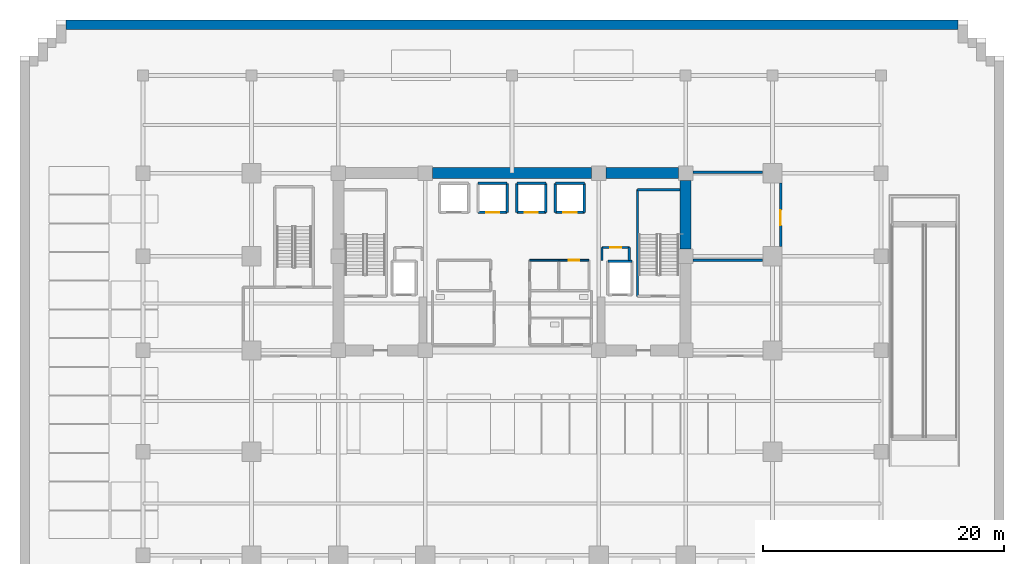
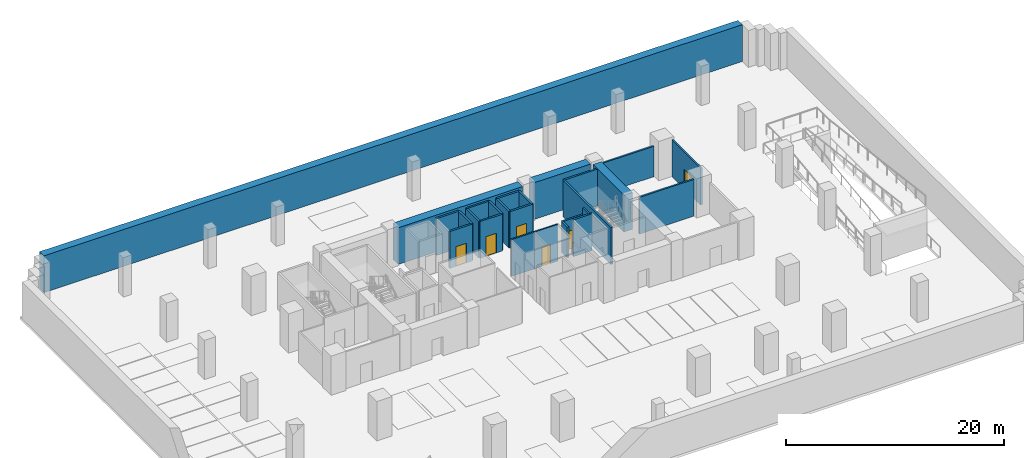
# One storey, part 5 of 13: 26 walls, 6 doors, 6 openings.
"""IFC4 building model written with IfcOpenShell, lengths in metres."""

from ifc_helpers import new_model, si_unit, direction, frame, frame_2d, origin, place, context, subcontext, project, spatial, rectangle, extrude, source, transform, mapped, material, layer, layer_set, type_object, element, fill, save


model = new_model("IFC4")

# Units and contexts
model_context = context("Model", 3, precision=1e-05, world=origin(), true_north=direction((0.0, 1.0)))
body_context = subcontext(model_context, "Body", "Model", "MODEL_VIEW")
ifc_project = project(units=[si_unit("LENGTHUNIT", "METRE"), si_unit("AREAUNIT", "SQUARE_METRE"), si_unit("VOLUMEUNIT", "CUBIC_METRE"), si_unit("PLANEANGLEUNIT", "RADIAN"), si_unit("MASSUNIT", "GRAM", prefix="KILO")], contexts=[model_context])

# Site, building, storey
site_placement = place(None, origin())
site = spatial("IfcSite", under=ifc_project, at=site_placement, CompositionType="ELEMENT")
building_placement = place(site_placement, origin())
building = spatial("IfcBuilding", under=site, at=building_placement, Name="Zarnakvel Exchange Tower", CompositionType="ELEMENT")
storey_placement = place(building_placement, frame((0.0, 0.0, -8.800048828125)))
storey = spatial("IfcBuildingStorey", under=building, at=storey_placement, Name="B02", CompositionType="ELEMENT", Elevation=-8.800048828125)

# Walls
ifc_material_1 = material(Name="Concrete C80/95", Category="concrete")
ifc_layer_1 = layer(ifc_material_1, 0.89990234375)
ifc_layer_set_1 = layer_set([ifc_layer_1], Name="Concrete C80/95")
wall_type_1 = type_object("IfcWallType", Name="CW-C1", PredefinedType="SHEAR", material=ifc_layer_set_1)
wall_1_placement = place(storey_placement, frame((-6.60009765625, 13.5, 0.0), z_axis=(0.0, 0.0, 1.0), x_axis=(1.0, 0.0, 0.0)))
element("IfcWall", 1, at=wall_1_placement, inside=storey, type_object=wall_type_1, Name="B02 Rear Core Shear Wall N2 (CW-C1)", PredefinedType="SHEAR", context=body_context, shape_type="SweptSolid", body=[
    extrude(rectangle(XDim=13.2001953125, YDim=0.89990234375, at=frame_2d((6.60009765625, 0.0))), origin(), (0.0, 0.0, 1.0), 4.1201171875),
])
wall_2_placement = place(storey_placement, frame((7.800048828125, 13.5, 0.0), z_axis=(0.0, 0.0, 1.0), x_axis=(1.0, 0.0, 0.0)))
element("IfcWall", 2, at=wall_2_placement, inside=storey, type_object=wall_type_1, Name="B02 Rear Core Shear Wall N3 (CW-C1)", PredefinedType="SHEAR", context=body_context, shape_type="SweptSolid", body=[
    extrude(rectangle(XDim=6.0, YDim=0.89990234375, at=frame_2d((3.0, 0.0))), origin(), (0.0, 0.0, 1.0), 4.1201171875),
])
wall_3_placement = place(storey_placement, frame((14.39990234375, 7.199951171875, 0.0), z_axis=(0.0, 0.0, 1.0), x_axis=(0.0, 1.0, 0.0)))
element("IfcWall", 3, at=wall_3_placement, inside=storey, type_object=wall_type_1, Name="B02 Rear Core Shear Wall E2 (CW-C1)", PredefinedType="SHEAR", context=body_context, shape_type="SweptSolid", body=[
    extrude(rectangle(XDim=5.699951171875, YDim=0.89990234375, at=frame_2d((2.85009765625, 0.0))), origin(), (0.0, 0.0, 1.0), 4.1201171875),
])
ifc_material_2 = material(Name="Fire-Rated Gypsum Stud Partition", Category="gypsum")
ifc_layer_2 = layer(ifc_material_2, 0.14990234375)
ifc_layer_set_2 = layer_set([ifc_layer_2], Name="Fire-Rated Gypsum Stud Partition")
wall_type_2 = type_object("IfcWallType", Name="PT-01", PredefinedType="PARTITIONING", material=ifc_layer_set_2)
wall_4_placement = place(storey_placement, frame((1.469970703125, 6.280029296875, 0.0), z_axis=(0.0, 0.0, 1.0), x_axis=(1.0, 0.0, 0.0)))
element("IfcWall", 4, at=wall_4_placement, inside=storey, type_object=wall_type_2, Name="B02 Partition Wall PWALL-B02-018 (PT-01)", PredefinedType="PARTITIONING", context=body_context, shape_type="SweptSolid", body=[
    extrude(rectangle(XDim=2.409912109375, YDim=0.14990234375, at=frame_2d((1.205078125, 0.0))), origin(), (0.0, 0.0, 1.0), 4.1201171875),
])

# Wall, opening, door
wall_5_placement = place(storey_placement, frame((3.8798828125, 6.280029296875, 0.0), z_axis=(0.0, 0.0, 1.0), x_axis=(1.0, 0.0, 0.0)))
wall_5 = element("IfcWall", 5, at=wall_5_placement, inside=storey, type_object=wall_type_2, Name="B02 Partition Wall PWALL-B02-022 (PT-01)", PredefinedType="PARTITIONING", context=body_context, shape_type="SweptSolid", body=[
    extrude(rectangle(XDim=2.5, YDim=0.14990234375, at=frame_2d((1.25, 0.0))), origin(), (0.0, 0.0, 1.0), 4.1201171875),
])
opening_1_placement = place(wall_5_placement, frame((0.81005859375, 0.0, 0.0)))
opening_1 = element("IfcOpeningElement", 6, at=opening_1_placement, cuts=wall_5, Name="Opening D-B02-07", PredefinedType="OPENING", context=body_context, shape_type="SweptSolid", body=[
    extrude(rectangle(XDim=0.8798828125, YDim=2.14990234375, at=frame_2d((0.43994140625, 1.074951171875))), frame((0.0, 0.0849609375, 0.0), z_axis=(0.0, -1.0, 0.0), x_axis=(1.0, 0.0, 0.0)), (0.0, 0.0, 1.0), 0.169921875),
])
ifc_material_3 = material(Name="Timber Acoustic Veneer", Category="wood")
door_type_1 = type_object("IfcDoorType", Name="DT-05", OperationType="NOTDEFINED", PredefinedType="DOOR", material=ifc_material_3)
shared_shape_1 = source(origin(), body_context, "Body", "SweptSolid", [
    extrude(rectangle(XDim=0.8798828125, YDim=2.14990234375, at=frame_2d((0.43994140625, 1.074951171875))), frame((0.0, 0.02490234375, 0.0), z_axis=(0.0, -1.0, 0.0), x_axis=(1.0, 0.0, 0.0)), (0.0, 0.0, 1.0), 0.050048828125),
])
door_1_placement = place(opening_1_placement, origin())
door_1 = element("IfcDoor", 7, at=door_1_placement, inside=storey, type_object=door_type_1, Name="B02 Data Copy Room Door D-B02-07", OperationType="SINGLE_SWING_LEFT", OverallHeight=2.14990234375, OverallWidth=0.8798828125, PredefinedType="DOOR", context=body_context, shape_type="MappedRepresentation", body=[
    mapped(shared_shape_1, transform((0.0, 0.0, 0.0), x_axis=(1.0, 0.0, 0.0), y_axis=(0.0, 1.0, 0.0), z_axis=(0.0, 0.0, 1.0), scale=1.0)),
])
fill(opening_1, door_1)

ifc_layer_3 = layer(ifc_material_2, 0.179931640625)
ifc_layer_set_3 = layer_set([ifc_layer_3], Name="Fire-Rated Gypsum Stud Partition")
wall_type_3 = type_object("IfcWallType", Name="PT-02", PredefinedType="PARTITIONING", material=ifc_layer_set_3)
wall_6_placement = place(storey_placement, frame((7.469970703125, 7.330078125, 0.0), z_axis=(0.0, 0.0, 1.0), x_axis=(1.0, 0.0, 0.0)))
wall_6 = element("IfcWall", 8, at=wall_6_placement, inside=storey, type_object=wall_type_3, Name="B02 Partition Wall PWALL-B02-010 (PT-02)", PredefinedType="PARTITIONING", context=body_context, shape_type="SweptSolid", body=[
    extrude(rectangle(XDim=2.260009765625, YDim=0.179931640625, at=frame_2d((1.1298828125, 0.0))), origin(), (0.0, 0.0, 1.0), 3.41015625),
])
opening_2_placement = place(wall_6_placement, frame((0.68994140625, 0.0, 0.0)))
opening_2 = element("IfcOpeningElement", 9, at=opening_2_placement, cuts=wall_6, Name="Opening D-B02-17", PredefinedType="OPENING", context=body_context, shape_type="SweptSolid", body=[
    extrude(rectangle(XDim=0.8798828125, YDim=2.10009765625, at=frame_2d((0.43994140625, 1.050048828125))), frame((0.0, 0.099853515625, 0.0), z_axis=(0.0, -1.0, 0.0), x_axis=(1.0, 0.0, 0.0)), (0.0, 0.0, 1.0), 0.199951171875),
])
ifc_material_4 = material(Name="Painted Galvanised Steel S355", Category="steel")
door_type_2 = type_object("IfcDoorType", Name="DT-08", OperationType="NOTDEFINED", PredefinedType="DOOR", material=ifc_material_4)
shared_shape_2 = source(origin(), body_context, "Body", "SweptSolid", [
    extrude(rectangle(XDim=0.8798828125, YDim=2.10009765625, at=frame_2d((0.43994140625, 1.050048828125))), frame((0.0, 0.02490234375, 0.0), z_axis=(0.0, -1.0, 0.0), x_axis=(1.0, 0.0, 0.0)), (0.0, 0.0, 1.0), 0.050048828125),
])
door_2_placement = place(opening_2_placement, origin())
door_2 = element("IfcDoor", 10, at=door_2_placement, inside=storey, type_object=door_type_2, Name="B02 Telecom Riser Door D-B02-17", OperationType="SINGLE_SWING_LEFT", OverallHeight=2.10009765625, OverallWidth=0.8798828125, PredefinedType="DOOR", context=body_context, shape_type="MappedRepresentation", body=[
    mapped(shared_shape_2, transform((0.0, 0.0, 0.0), x_axis=(1.0, 0.0, 0.0), y_axis=(0.0, 1.0, 0.0), z_axis=(0.0, 0.0, 1.0), scale=1.0)),
])
fill(opening_2, door_2)

# Walls
wall_7_placement = place(storey_placement, frame((7.469970703125, 6.239990234375, 0.0), z_axis=(0.0, 0.0, 1.0), x_axis=(0.0, 1.0, 0.0)))
element("IfcWall", 11, at=wall_7_placement, inside=storey, type_object=wall_type_3, Name="B02 Partition Wall PWALL-B02-011 (PT-02)", PredefinedType="PARTITIONING", context=body_context, shape_type="SweptSolid", body=[
    extrude(rectangle(XDim=1.090087890625, YDim=0.179931640625, at=frame_2d((0.544921875, 0.0))), origin(), (0.0, 0.0, 1.0), 3.41015625),
])
wall_8_placement = place(storey_placement, frame((9.72998046875, 7.330078125, 0.0), z_axis=(0.0, 0.0, 1.0), x_axis=(0.0, -1.0, 0.0)))
element("IfcWall", 12, at=wall_8_placement, inside=storey, type_object=wall_type_3, Name="B02 Partition Wall PWALL-B02-012 (PT-02)", PredefinedType="PARTITIONING", context=body_context, shape_type="SweptSolid", body=[
    extrude(rectangle(XDim=1.090087890625, YDim=0.179931640625, at=frame_2d((0.544921875, 0.0))), origin(), (0.0, 0.0, 1.0), 4.1201171875),
])
wall_9_placement = place(storey_placement, frame((15.02001953125, 6.280029296875, 0.0), z_axis=(0.0, 0.0, 1.0), x_axis=(1.0, 0.0, 0.0)))
element("IfcWall", 13, at=wall_9_placement, inside=storey, type_object=wall_type_3, Name="B02 Partition Wall PWALL-B02-044 (PT-02)", PredefinedType="PARTITIONING", context=body_context, shape_type="SweptSolid", body=[
    extrude(rectangle(XDim=5.760009765625, YDim=0.179931640625, at=frame_2d((2.8798828125, 0.0))), origin(), (0.0, 0.0, 1.0), 4.1201171875),
])
wall_10_placement = place(storey_placement, frame((15.02001953125, 13.580078125, 0.0), z_axis=(0.0, 0.0, 1.0), x_axis=(1.0, 0.0, 0.0)))
element("IfcWall", 14, at=wall_10_placement, inside=storey, type_object=wall_type_3, Name="B02 Partition Wall PWALL-B02-046 (PT-02)", PredefinedType="PARTITIONING", context=body_context, shape_type="SweptSolid", body=[
    extrude(rectangle(XDim=5.760009765625, YDim=0.179931640625, at=frame_2d((2.8798828125, 0.0))), origin(), (0.0, 0.0, 1.0), 3.41015625),
])

# Wall, opening, door
wall_11_placement = place(storey_placement, frame((22.280029296875, 12.679931640625, 0.0), z_axis=(0.0, 0.0, 1.0), x_axis=(0.0, -1.0, 0.0)))
wall_11 = element("IfcWall", 15, at=wall_11_placement, inside=storey, type_object=wall_type_3, Name="B02 Partition Wall PWALL-B02-047 (PT-02)", PredefinedType="PARTITIONING", context=body_context, shape_type="SweptSolid", body=[
    extrude(rectangle(XDim=5.260009765625, YDim=0.179931640625, at=frame_2d((2.6298828125, 0.0))), origin(), (0.0, 0.0, 1.0), 4.1201171875),
])
opening_3_placement = place(wall_11_placement, frame((2.2548828125, 0.0, 0.0)))
opening_3 = element("IfcOpeningElement", 16, at=opening_3_placement, cuts=wall_11, Name="Opening D-B02-15", PredefinedType="OPENING", context=body_context, shape_type="SweptSolid", body=[
    extrude(rectangle(XDim=1.25, YDim=2.14990234375, at=frame_2d((0.625, 1.074951171875))), frame((0.0, 0.099853515625, 0.0), z_axis=(0.0, -1.0, 0.0), x_axis=(1.0, 0.0, 0.0)), (0.0, 0.0, 1.0), 0.199951171875),
])
door_type_3 = type_object("IfcDoorType", Name="DT-06", OperationType="NOTDEFINED", PredefinedType="DOOR", material=ifc_material_4)
shared_shape_3 = source(origin(), body_context, "Body", "SweptSolid", [
    extrude(rectangle(XDim=1.25, YDim=2.14990234375, at=frame_2d((0.625, 1.074951171875))), frame((0.0, 0.02490234375, 0.0), z_axis=(0.0, -1.0, 0.0), x_axis=(1.0, 0.0, 0.0)), (0.0, 0.0, 1.0), 0.050048828125),
])
door_3_placement = place(opening_3_placement, origin())
door_3 = element("IfcDoor", 17, at=door_3_placement, inside=storey, type_object=door_type_3, Name="B02 Standby Diesel Generator Room Door D-B02-15", OperationType="SINGLE_SWING_LEFT", OverallHeight=2.14990234375, OverallWidth=1.25, PredefinedType="DOOR", context=body_context, shape_type="MappedRepresentation", body=[
    mapped(shared_shape_3, transform((0.0, 0.0, 0.0), x_axis=(1.0, 0.0, 0.0), y_axis=(0.0, 1.0, 0.0), z_axis=(0.0, 0.0, 1.0), scale=1.0)),
])
fill(opening_3, door_3)

# Walls
ifc_material_5 = material(Name="Concrete C50/60", Category="concrete")
ifc_layer_4 = layer(ifc_material_5, 0.800048828125)
ifc_layer_set_4 = layer_set([ifc_layer_4], Name="Concrete C50/60")
wall_type_4 = type_object("IfcWallType", Name="RW-01", PredefinedType="USERDEFINED", material=ifc_layer_set_4)
wall_12_placement = place(storey_placement, frame((-37.0, 25.800048828125, 0.0), z_axis=(0.0, 0.0, 1.0), x_axis=(1.0, 0.0, 0.0)))
element("IfcWall", 18, at=wall_12_placement, inside=storey, type_object=wall_type_4, Name="B02 Perimeter Retaining Wall RW-01 #6", ObjectType="RETAININGWALL", PredefinedType="USERDEFINED", context=body_context, shape_type="SweptSolid", body=[
    extrude(rectangle(XDim=74.0, YDim=0.800048828125, at=frame_2d((37.0, 0.0))), origin(), (0.0, 0.0, 1.0), 4.1201171875),
])
ifc_material_6 = material(Name="Concrete C40/50", Category="concrete")
ifc_layer_5 = layer(ifc_material_6, 0.199951171875)
ifc_layer_set_5 = layer_set([ifc_layer_5], Name="Concrete C40/50")
wall_type_5 = type_object("IfcWallType", Name="SW-01", PredefinedType="SOLIDWALL", material=ifc_layer_set_5)
wall_13_placement = place(storey_placement, frame((7.949951171875, 6.199951171875, 0.0), z_axis=(0.0, 0.0, 1.0), x_axis=(1.0, 0.0, 0.0)))
element("IfcWall", 19, at=wall_13_placement, inside=storey, type_object=wall_type_5, Name="B02 FL-02 Hoistway Wall North", PredefinedType="SOLIDWALL", context=body_context, shape_type="SweptSolid", body=[
    extrude(rectangle(XDim=2.0, YDim=0.199951171875, at=frame_2d((1.0, 0.0))), origin(), (0.0, 0.0, 1.0), 4.1201171875),
])

# Wall, opening, door
wall_14_placement = place(storey_placement, frame((-0.39990234375, 10.25, 0.0), z_axis=(0.0, 0.0, 1.0), x_axis=(-1.0, 0.0, 0.0)))
wall_14 = element("IfcWall", 20, at=wall_14_placement, inside=storey, type_object=wall_type_5, Name="B02 PL-02 Hoistway Wall South", PredefinedType="SOLIDWALL", context=body_context, shape_type="SweptSolid", body=[
    extrude(rectangle(XDim=2.400146484375, YDim=0.199951171875, at=frame_2d((1.2001953125, 0.0))), origin(), (0.0, 0.0, 1.0), 4.1201171875),
])
opening_4_placement = place(wall_14_placement, frame((0.64990234375, 0.0, 0.0)))
opening_4 = element("IfcOpeningElement", 21, at=opening_4_placement, cuts=wall_14, Name="Opening LD-PL-02-B02", PredefinedType="OPENING", context=body_context, shape_type="SweptSolid", body=[
    extrude(rectangle(XDim=1.10009765625, YDim=2.199951171875, at=frame_2d((0.550048828125, 1.10009765625))), frame((0.0, 0.10986328125, 0.0), z_axis=(0.0, -1.0, 0.0), x_axis=(1.0, 0.0, 0.0)), (0.0, 0.0, 1.0), 0.219970703125),
])
ifc_material_7 = material(Name="Architectural Bronze Anodised Aluminium", Category="aluminium")
door_type_4 = type_object("IfcDoorType", Name="LDT-02", OperationType="NOTDEFINED", PredefinedType="DOOR", material=ifc_material_7)
shared_shape_4 = source(origin(), body_context, "Body", "SweptSolid", [
    extrude(rectangle(XDim=1.10009765625, YDim=2.199951171875, at=frame_2d((0.550048828125, 1.10009765625))), frame((0.0, 0.02490234375, 0.0), z_axis=(0.0, -1.0, 0.0), x_axis=(1.0, 0.0, 0.0)), (0.0, 0.0, 1.0), 0.050048828125),
])
door_4_placement = place(opening_4_placement, origin())
door_4 = element("IfcDoor", 22, at=door_4_placement, inside=storey, type_object=door_type_4, Name="B02 PL-02 Lift Landing Door LD-PL-02-B02", OperationType="DOUBLE_DOOR_SLIDING", OverallHeight=2.199951171875, OverallWidth=1.10009765625, PredefinedType="DOOR", context=body_context, shape_type="MappedRepresentation", body=[
    mapped(shared_shape_4, transform((0.0, 0.0, 0.0), x_axis=(1.0, 0.0, 0.0), y_axis=(0.0, 1.0, 0.0), z_axis=(0.0, 0.0, 1.0), scale=1.0)),
])
fill(opening_4, door_4)

# Walls
wall_15_placement = place(storey_placement, frame((-2.800048828125, 12.64990234375, 0.0), z_axis=(0.0, 0.0, 1.0), x_axis=(1.0, 0.0, 0.0)))
element("IfcWall", 23, at=wall_15_placement, inside=storey, type_object=wall_type_5, Name="B02 PL-02 Hoistway Wall North", PredefinedType="SOLIDWALL", context=body_context, shape_type="SweptSolid", body=[
    extrude(rectangle(XDim=2.400146484375, YDim=0.199951171875, at=frame_2d((1.2001953125, 0.0))), origin(), (0.0, 0.0, 1.0), 4.1201171875),
])
wall_16_placement = place(storey_placement, frame((-0.39990234375, 12.64990234375, 0.0), z_axis=(0.0, 0.0, 1.0), x_axis=(0.0, -1.0, 0.0)))
element("IfcWall", 24, at=wall_16_placement, inside=storey, type_object=wall_type_5, Name="B02 PL-02 Hoistway Wall East", PredefinedType="SOLIDWALL", context=body_context, shape_type="SweptSolid", body=[
    extrude(rectangle(XDim=2.39990234375, YDim=0.199951171875, at=frame_2d((1.199951171875, 0.0))), origin(), (0.0, 0.0, 1.0), 4.1201171875),
])

# Wall, opening, door
wall_17_placement = place(storey_placement, frame((2.800048828125, 10.25, 0.0), z_axis=(0.0, 0.0, 1.0), x_axis=(-1.0, 0.0, 0.0)))
wall_17 = element("IfcWall", 25, at=wall_17_placement, inside=storey, type_object=wall_type_5, Name="B02 PL-03 Hoistway Wall South", PredefinedType="SOLIDWALL", context=body_context, shape_type="SweptSolid", body=[
    extrude(rectangle(XDim=2.400146484375, YDim=0.199951171875, at=frame_2d((1.2001953125, 0.0))), origin(), (0.0, 0.0, 1.0), 4.1201171875),
])
opening_5_placement = place(wall_17_placement, frame((0.64990234375, 0.0, 0.0)))
opening_5 = element("IfcOpeningElement", 26, at=opening_5_placement, cuts=wall_17, Name="Opening LD-PL-03-B02", PredefinedType="OPENING", context=body_context, shape_type="SweptSolid", body=[
    extrude(rectangle(XDim=1.10009765625, YDim=2.199951171875, at=frame_2d((0.550048828125, 1.10009765625))), frame((0.0, 0.10986328125, 0.0), z_axis=(0.0, -1.0, 0.0), x_axis=(1.0, 0.0, 0.0)), (0.0, 0.0, 1.0), 0.219970703125),
])
door_5_placement = place(opening_5_placement, origin())
door_5 = element("IfcDoor", 27, at=door_5_placement, inside=storey, type_object=door_type_4, Name="B02 PL-03 Lift Landing Door LD-PL-03-B02", OperationType="DOUBLE_DOOR_SLIDING", OverallHeight=2.199951171875, OverallWidth=1.10009765625, PredefinedType="DOOR", context=body_context, shape_type="MappedRepresentation", body=[
    mapped(shared_shape_4, transform((0.0, 0.0, 0.0), x_axis=(1.0, 0.0, 0.0), y_axis=(0.0, 1.0, 0.0), z_axis=(0.0, 0.0, 1.0), scale=1.0)),
])
fill(opening_5, door_5)

# Walls
wall_18_placement = place(storey_placement, frame((0.39990234375, 12.64990234375, 0.0), z_axis=(0.0, 0.0, 1.0), x_axis=(1.0, 0.0, 0.0)))
element("IfcWall", 28, at=wall_18_placement, inside=storey, type_object=wall_type_5, Name="B02 PL-03 Hoistway Wall North", PredefinedType="SOLIDWALL", context=body_context, shape_type="SweptSolid", body=[
    extrude(rectangle(XDim=2.400146484375, YDim=0.199951171875, at=frame_2d((1.2001953125, 0.0))), origin(), (0.0, 0.0, 1.0), 4.1201171875),
])
for number, where, z_axis, x_axis, name in (
    (29, (0.39990234375, 10.25, 0.0), (0.0, 0.0, 1.0), (0.0, 1.0, 0.0), "B02 PL-03 Hoistway Wall West"),
    (30, (2.800048828125, 12.64990234375, 0.0), (0.0, 0.0, 1.0), (0.0, -1.0, 0.0), "B02 PL-03 Hoistway Wall East"),
):
    element("IfcWall", number, at=place(storey_placement, frame(where, z_axis=z_axis, x_axis=x_axis)), inside=storey, type_object=wall_type_5, Name=name, PredefinedType="SOLIDWALL", context=body_context, shape_type="SweptSolid", body=[
        extrude(rectangle(XDim=2.39990234375, YDim=0.199951171875, at=frame_2d((1.199951171875, 0.0))), origin(), (0.0, 0.0, 1.0), 4.1201171875),
    ])

# Wall, opening, door
wall_19_placement = place(storey_placement, frame((6.0, 10.25, 0.0), z_axis=(0.0, 0.0, 1.0), x_axis=(-1.0, 0.0, 0.0)))
wall_19 = element("IfcWall", 31, at=wall_19_placement, inside=storey, type_object=wall_type_5, Name="B02 PL-04 Hoistway Wall South", PredefinedType="SOLIDWALL", context=body_context, shape_type="SweptSolid", body=[
    extrude(rectangle(XDim=2.39990234375, YDim=0.199951171875, at=frame_2d((1.199951171875, 0.0))), origin(), (0.0, 0.0, 1.0), 4.1201171875),
])
opening_6_placement = place(wall_19_placement, frame((0.64990234375, 0.0, 0.0)))
opening_6 = element("IfcOpeningElement", 32, at=opening_6_placement, cuts=wall_19, Name="Opening LD-PL-04-B02", PredefinedType="OPENING", context=body_context, shape_type="SweptSolid", body=[
    extrude(rectangle(XDim=1.10009765625, YDim=2.199951171875, at=frame_2d((0.550048828125, 1.10009765625))), frame((0.0, 0.10986328125, 0.0), z_axis=(0.0, -1.0, 0.0), x_axis=(1.0, 0.0, 0.0)), (0.0, 0.0, 1.0), 0.219970703125),
])
door_6_placement = place(opening_6_placement, origin())
door_6 = element("IfcDoor", 33, at=door_6_placement, inside=storey, type_object=door_type_4, Name="B02 PL-04 Lift Landing Door LD-PL-04-B02", OperationType="DOUBLE_DOOR_SLIDING", OverallHeight=2.199951171875, OverallWidth=1.10009765625, PredefinedType="DOOR", context=body_context, shape_type="MappedRepresentation", body=[
    mapped(shared_shape_4, transform((0.0, 0.0, 0.0), x_axis=(1.0, 0.0, 0.0), y_axis=(0.0, 1.0, 0.0), z_axis=(0.0, 0.0, 1.0), scale=1.0)),
])
fill(opening_6, door_6)

# Walls
for number, where, z_axis, x_axis, name in (
    (34, (3.60009765625, 12.64990234375, 0.0), (0.0, 0.0, 1.0), (1.0, 0.0, 0.0), "B02 PL-04 Hoistway Wall North"),
    (35, (3.60009765625, 10.25, 0.0), (0.0, 0.0, 1.0), (0.0, 1.0, 0.0), "B02 PL-04 Hoistway Wall West"),
    (36, (6.0, 12.64990234375, 0.0), (0.0, 0.0, 1.0), (0.0, -1.0, 0.0), "B02 PL-04 Hoistway Wall East"),
):
    element("IfcWall", number, at=place(storey_placement, frame(where, z_axis=z_axis, x_axis=x_axis)), inside=storey, type_object=wall_type_5, Name=name, PredefinedType="SOLIDWALL", context=body_context, shape_type="SweptSolid", body=[
        extrude(rectangle(XDim=2.39990234375, YDim=0.199951171875, at=frame_2d((1.199951171875, 0.0))), origin(), (0.0, 0.0, 1.0), 4.1201171875),
    ])
ifc_layer_6 = layer(ifc_material_6, 0.199951171875)
ifc_layer_set_6 = layer_set([ifc_layer_6], Name="Concrete C40/50")
wall_type_6 = type_object("IfcWallType", Name="SW-02", PredefinedType="SOLIDWALL", material=ifc_layer_set_6)
wall_20_placement = place(storey_placement, frame((10.409912109375, 12.1298828125, 0.0), z_axis=(0.0, 0.0, 1.0), x_axis=(1.0, 0.0, 0.0)))
element("IfcWall", 37, at=wall_20_placement, inside=storey, type_object=wall_type_6, Name="B02 Stairwell Core Wall PWALL-B02-005 (SW-02)", PredefinedType="SOLIDWALL", context=body_context, shape_type="SweptSolid", body=[
    extrude(rectangle(XDim=3.52001953125, YDim=0.199951171875, at=frame_2d((1.760009765625, 0.0))), origin(), (0.0, 0.0, 1.0), 4.1201171875),
])
wall_21_placement = place(storey_placement, frame((10.409912109375, 3.2900390625, 0.0), z_axis=(0.0, 0.0, 1.0), x_axis=(0.0, 1.0, 0.0)))
element("IfcWall", 38, at=wall_21_placement, inside=storey, type_object=wall_type_6, Name="B02 Stairwell Core Wall PWALL-B02-006 (SW-02)", PredefinedType="SOLIDWALL", context=body_context, shape_type="SweptSolid", body=[
    extrude(rectangle(XDim=8.83984375, YDim=0.199951171875, at=frame_2d((4.419921875, 0.0))), origin(), (0.0, 0.0, 1.0), 4.1201171875),
])

save(model, "model.ifc")
